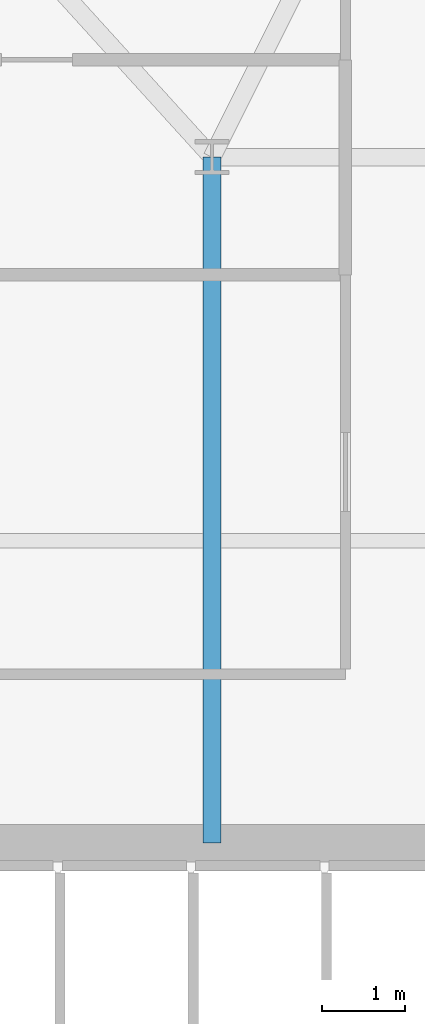
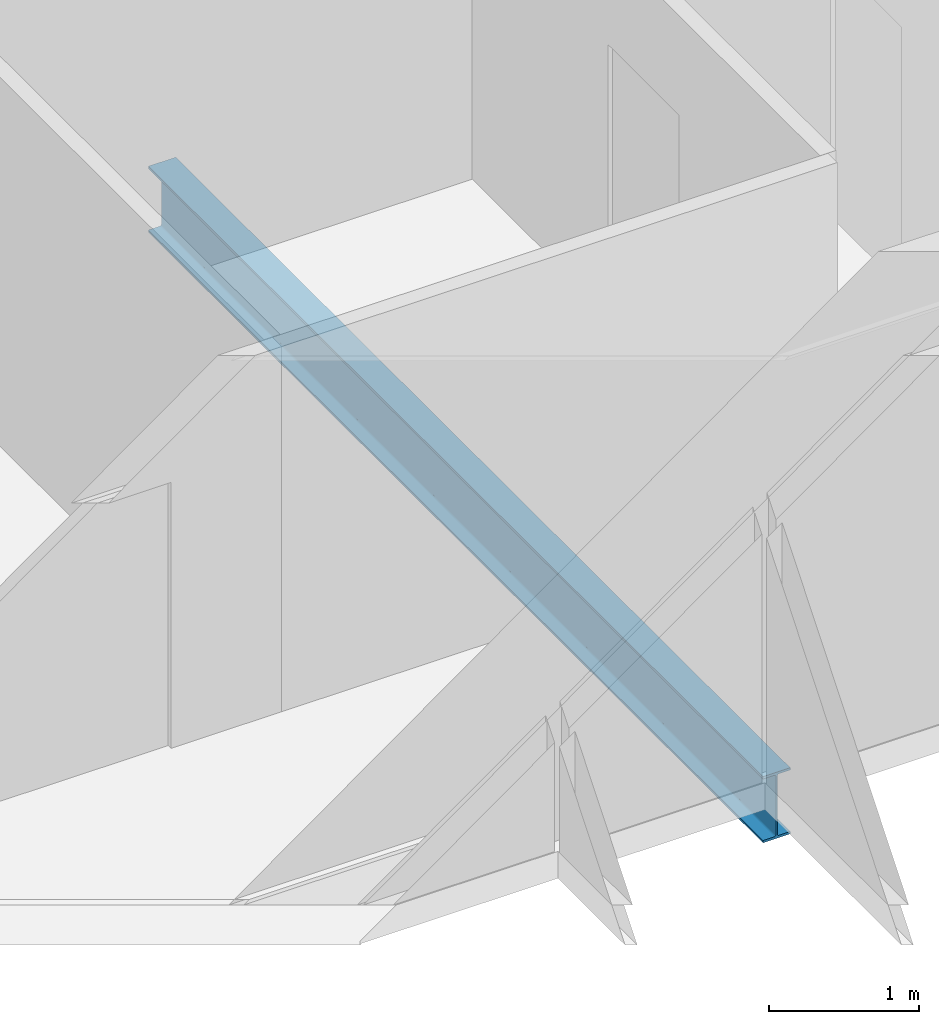
# One storey, part 6 of 31: 1 beam.
"""IFC4 building model written with IfcOpenShell, lengths in metres."""

from ifc_helpers import new_model, si_unit, direction, frame, origin, origin_2d, place, context, subcontext, project, spatial, i_section, extrude, material, material_profile, profile_set, type_object, element, save


model = new_model("IFC4")

# Units and contexts
model_context = context("Model", 3, precision=1e-05, world=origin(), true_north=direction((0.0, 1.0)))
body_context = subcontext(model_context, "Body", "Model", "MODEL_VIEW")
ifc_project = project(units=[si_unit("LENGTHUNIT", "METRE"), si_unit("AREAUNIT", "SQUARE_METRE"), si_unit("VOLUMEUNIT", "CUBIC_METRE"), si_unit("PLANEANGLEUNIT", "RADIAN"), si_unit("MASSUNIT", "GRAM", prefix="KILO")], contexts=[model_context])

# Site, building, storey
site_placement = place(None, origin())
site = spatial("IfcSite", under=ifc_project, at=site_placement, CompositionType="ELEMENT")
building_placement = place(site_placement, origin())
building = spatial("IfcBuilding", under=site, at=building_placement, Name="Ndaravel Arena Tower", CompositionType="ELEMENT")
storey_placement = place(building_placement, frame((0.0, 0.0, 142.199951171875)))
storey = spatial("IfcBuildingStorey", under=building, at=storey_placement, Name="L33", CompositionType="ELEMENT", Elevation=142.199951171875)

# Beam
ifc_material = material(Name="Steel S355", Category="steel")
ifc_material_profile = material_profile(ifc_material, i_section(OverallWidth=0.210693359375, OverallDepth=0.53955078125, WebThickness=0.01171875, FlangeThickness=0.018798828125, FilletRadius=0.0126953125, at=origin_2d()), Name="UB 533x210x109")
ifc_profile_set = profile_set([ifc_material_profile], Name="Steel S355")
beam_type = type_object("IfcBeamType", Name="BM-GIRD-UB533", PredefinedType="BEAM", material=ifc_profile_set)
beam_placement = place(storey_placement, frame((34.199951171875, 14.97998046875, -0.48974609375), z_axis=(0.0, 1.0, 0.0), x_axis=(-1.0, 0.0, 0.0)))
element("IfcBeam", 1, at=beam_placement, inside=storey, type_object=beam_type, Name="L33 Spine Link Girder SLG-01", PredefinedType="BEAM", context=body_context, shape_type="SweptSolid", body=[
    extrude(i_section(OverallWidth=0.210693359375, OverallDepth=0.53955078125, WebThickness=0.01171875, FlangeThickness=0.018798828125, FilletRadius=0.0126953125, at=origin_2d()), origin(), (0.0, 0.0, 1.0), 8.219970703125),
])

save(model, "model.ifc")
